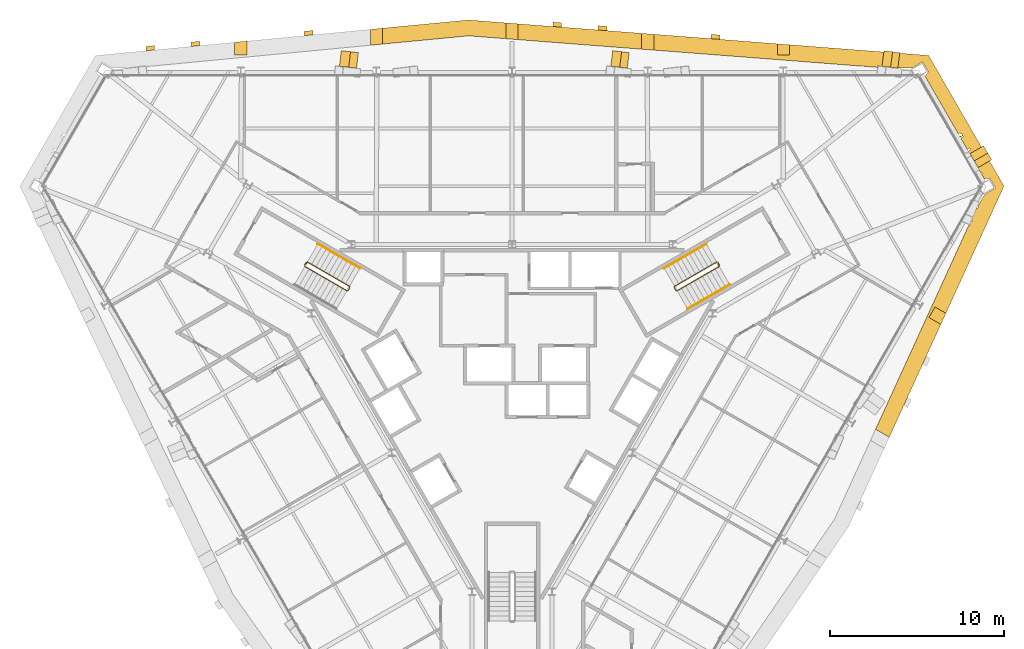
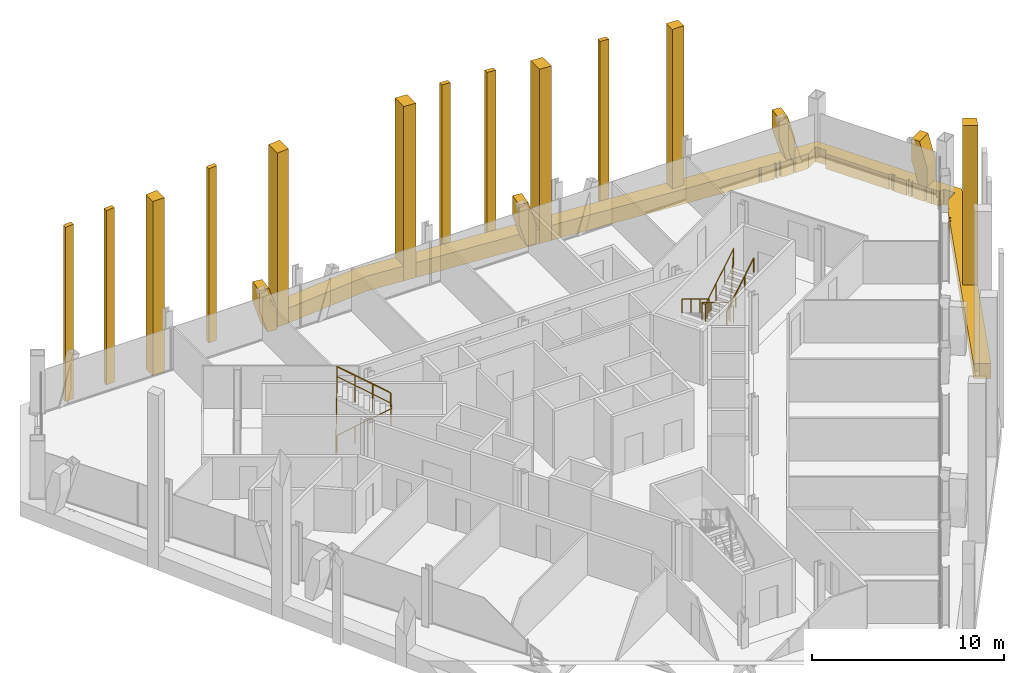
# One storey, part 17 of 17: 19 coverings, 5 railings.
"""IFC4 building model written with IfcOpenShell, lengths in metres."""

from ifc_helpers import new_model, si_unit, direction, frame, origin, origin_2d, place, context, subcontext, project, spatial, polyline, circle, outline, extrude, material, layer, layer_set, type_object, element, save


model = new_model("IFC4")

# Units and contexts
model_context = context("Model", 3, precision=1e-05, world=origin(), true_north=direction((0.0, 1.0)))
body_context = subcontext(model_context, "Body", "Model", "MODEL_VIEW")
ifc_project = project(units=[si_unit("LENGTHUNIT", "METRE"), si_unit("AREAUNIT", "SQUARE_METRE"), si_unit("VOLUMEUNIT", "CUBIC_METRE"), si_unit("PLANEANGLEUNIT", "RADIAN"), si_unit("MASSUNIT", "GRAM", prefix="KILO")], contexts=[model_context])

# Site, building, storey
site_placement = place(None, origin())
site = spatial("IfcSite", under=ifc_project, at=site_placement, CompositionType="ELEMENT")
building_placement = place(site_placement, origin())
building = spatial("IfcBuilding", under=site, at=building_placement, Name="Verrane Prism Tower", CompositionType="ELEMENT")
storey_placement = place(building_placement, frame((0.0, 0.0, 178.39990234375)))
storey = spatial("IfcBuildingStorey", under=building, at=storey_placement, Name="L44", CompositionType="ELEMENT", Elevation=178.39990234375)

# Railings
ifc_material_1 = material(Name="Steel A36 rail and posts, no infill", Category="steel")
railing_type_1 = type_object("IfcRailingType", Name="Stair guard 1100 steel rail and posts", PredefinedType="GUARDRAIL", material=ifc_material_1)
railing_1_placement = place(storey_placement, frame((11.78955078125, 6.97998046875, 0.168212890625)))
element("IfcRailing", 1, at=railing_1_placement, inside=storey, type_object=railing_type_1, Name="Stair 1 guard", PredefinedType="GUARDRAIL", context=body_context, shape_type="SweptSolid", body=[
    extrude(circle(Radius=0.02392578125, at=origin_2d()), frame((0.0, 0.0, 1.076171875), z_axis=(-0.742366697286, -0.42866220388, 0.514917859203), x_axis=(0.500049511043, -0.865996816683, 0.0)), (0.0, 0.0, 1.0), 3.266357421875),
    extrude(circle(Radius=0.02392578125, at=origin_2d()), frame((-2.4248046875, -1.400146484375, 2.7578125), z_axis=(-0.259601060869, -0.965715946433, 0.0), x_axis=(0.965715946433, -0.259601060869, 0.0)), (0.0, 0.0, 1.0), 0.070556640625),
    extrude(circle(Radius=0.02392578125, at=origin_2d()), frame((-2.443115234375, -1.46826171875, 2.7578125), z_axis=(0.499158860599, -0.866510491504, 0.0), x_axis=(0.866510491504, 0.499158860599, 0.0)), (0.0, 0.0, 1.0), 0.199951171875),
    extrude(circle(Radius=0.02392578125, at=origin_2d()), frame((-2.34326171875, -1.6416015625, 2.7578125), z_axis=(0.374585375571, -0.100335368456, 0.921747584887), x_axis=(0.258736085224, 0.965948051503, 0.0)), (0.0, 0.0, 1.0), 0.182373046875),
    extrude(circle(Radius=0.02392578125, at=origin_2d()), frame((-2.27490234375, -1.659912109375, 2.92626953125), z_axis=(0.742366697286, 0.42866220388, 0.514917859203), x_axis=(-0.500049511043, 0.865996816683, 0.0)), (0.0, 0.0, 1.0), 3.266357421875),
    extrude(circle(Radius=0.02392578125, at=origin_2d()), frame((0.14990234375, -0.259765625, 4.60791015625), z_axis=(-0.021985391189, 0.065100454749, -0.997636493602), x_axis=(-0.947430582667, -0.3199613899, 0.0)), (0.0, 0.0, 1.0), 3.708984375),
    extrude(circle(Radius=0.02392578125, at=origin_2d()), frame((0.068359375, -0.018310546875, 0.90771484375), z_axis=(0.499158860599, -0.866510491504, 0.0), x_axis=(0.866510491504, 0.499158860599, 0.0)), (0.0, 0.0, 1.0), 0.199951171875),
    extrude(circle(Radius=0.02099609375, at=origin_2d()), origin(), (0.0, 0.0, 1.0), 1.052001953125),
    extrude(circle(Radius=0.02099609375, at=origin_2d()), frame((-0.808349609375, -0.466796875, 0.560546875)), (0.0, 0.0, 1.0), 1.052001953125),
    extrude(circle(Radius=0.02099609375, at=origin_2d()), frame((-1.616455078125, -0.933349609375, 1.121337890625)), (0.0, 0.0, 1.0), 1.052001953125),
    extrude(circle(Radius=0.02099609375, at=origin_2d()), frame((-2.4248046875, -1.400146484375, 1.681884765625)), (0.0, 0.0, 1.0), 1.052001953125),
    extrude(circle(Radius=0.02099609375, at=origin_2d()), frame((-2.443115234375, -1.46826171875, 1.681884765625)), (0.0, 0.0, 1.0), 1.052001953125),
    extrude(circle(Radius=0.02099609375, at=origin_2d()), frame((-2.34326171875, -1.6416015625, 1.681884765625)), (0.0, 0.0, 1.0), 1.052001953125),
    extrude(circle(Radius=0.02099609375, at=origin_2d()), frame((-2.27490234375, -1.659912109375, 1.85009765625)), (0.0, 0.0, 1.0), 1.052001953125),
    extrude(circle(Radius=0.02099609375, at=origin_2d()), frame((-1.466552734375, -1.193115234375, 2.41064453125)), (0.0, 0.0, 1.0), 1.052001953125),
    extrude(circle(Radius=0.02099609375, at=origin_2d()), frame((-0.658447265625, -0.7265625, 2.971435546875)), (0.0, 0.0, 1.0), 1.052001953125),
    extrude(circle(Radius=0.02099609375, at=origin_2d()), frame((0.14990234375, -0.259765625, 3.531982421875)), (0.0, 0.0, 1.0), 1.052001953125),
    extrude(circle(Radius=0.02099609375, at=origin_2d()), frame((0.12939453125, -0.199462890625, 2.60693359375)), (0.0, 0.0, 1.0), 1.052001953125),
    extrude(circle(Radius=0.02099609375, at=origin_2d()), frame((0.109130859375, -0.13916015625, 1.681884765625)), (0.0, 0.0, 1.0), 1.052001953125),
    extrude(circle(Radius=0.02099609375, at=origin_2d()), frame((0.0888671875, -0.07861328125, 0.7568359375)), (0.0, 0.0, 1.0), 1.052001953125),
    extrude(circle(Radius=0.02099609375, at=origin_2d()), frame((0.068359375, -0.018310546875, -0.168212890625)), (0.0, 0.0, 1.0), 1.052001953125),
    extrude(circle(Radius=0.02099609375, at=origin_2d()), frame((0.168212890625, -0.191650390625, -0.168212890625)), (0.0, 0.0, 1.0), 1.052001953125),
])
railing_2_placement = place(storey_placement, frame((-11.939453125, 6.72021484375, 0.168212890625)))
element("IfcRailing", 2, at=railing_2_placement, inside=storey, type_object=railing_type_1, Name="Stair 2 guard", PredefinedType="GUARDRAIL", context=body_context, shape_type="SweptSolid", body=[
    extrude(circle(Radius=0.02392578125, at=origin_2d()), frame((0.0, 0.0, 1.076171875), z_axis=(0.742366697286, -0.42866220388, 0.514917859203), x_axis=(0.500049511043, 0.865996816683, 0.0)), (0.0, 0.0, 1.0), 3.266357421875),
    extrude(circle(Radius=0.02392578125, at=origin_2d()), frame((2.4248046875, -1.400146484375, 2.7578125), z_axis=(0.965948051503, 0.258736085224, 0.0), x_axis=(-0.258736085224, 0.965948051503, 0.0)), (0.0, 0.0, 1.0), 0.07080078125),
    extrude(circle(Radius=0.02392578125, at=origin_2d()), frame((2.4931640625, -1.3818359375, 2.7578125), z_axis=(0.499158860599, 0.866510491504, 0.0), x_axis=(-0.866510491504, 0.499158860599, 0.0)), (0.0, 0.0, 1.0), 0.199951171875),
    extrude(circle(Radius=0.02392578125, at=origin_2d()), frame((2.593017578125, -1.20849609375, 2.7578125), z_axis=(-0.100385596638, 0.373434419493, 0.922209014446), x_axis=(-0.965715946433, -0.259601060869, 0.0)), (0.0, 0.0, 1.0), 0.182373046875),
    extrude(circle(Radius=0.02392578125, at=origin_2d()), frame((2.57470703125, -1.140380859375, 2.92626953125), z_axis=(-0.742366697286, 0.42866220388, 0.514917859203), x_axis=(-0.500049511043, -0.865996816683, 0.0)), (0.0, 0.0, 1.0), 3.266357421875),
    extrude(circle(Radius=0.02392578125, at=origin_2d()), frame((0.14990234375, 0.259765625, 4.60791015625), z_axis=(-0.045352972709, -0.05167210969, -0.997633750906), x_axis=(0.751567565678, -0.659656118156, 0.0)), (0.0, 0.0, 1.0), 3.708984375),
    extrude(circle(Radius=0.02392578125, at=origin_2d()), frame((-0.018310546875, 0.068115234375, 0.90771484375), z_axis=(0.499158860599, 0.866510491504, 0.0), x_axis=(-0.866510491504, 0.499158860599, 0.0)), (0.0, 0.0, 1.0), 0.199951171875),
    extrude(circle(Radius=0.02099609375, at=origin_2d()), origin(), (0.0, 0.0, 1.0), 1.052001953125),
    extrude(circle(Radius=0.02099609375, at=origin_2d()), frame((0.808349609375, -0.466796875, 0.560546875)), (0.0, 0.0, 1.0), 1.052001953125),
    extrude(circle(Radius=0.02099609375, at=origin_2d()), frame((1.616455078125, -0.933349609375, 1.121337890625)), (0.0, 0.0, 1.0), 1.052001953125),
    extrude(circle(Radius=0.02099609375, at=origin_2d()), frame((2.4248046875, -1.400146484375, 1.681884765625)), (0.0, 0.0, 1.0), 1.052001953125),
    extrude(circle(Radius=0.02099609375, at=origin_2d()), frame((2.4931640625, -1.3818359375, 1.681884765625)), (0.0, 0.0, 1.0), 1.052001953125),
    extrude(circle(Radius=0.02099609375, at=origin_2d()), frame((2.593017578125, -1.20849609375, 1.681884765625)), (0.0, 0.0, 1.0), 1.052001953125),
    extrude(circle(Radius=0.02099609375, at=origin_2d()), frame((2.57470703125, -1.140380859375, 1.85009765625)), (0.0, 0.0, 1.0), 1.052001953125),
    extrude(circle(Radius=0.02099609375, at=origin_2d()), frame((1.766357421875, -0.673583984375, 2.41064453125)), (0.0, 0.0, 1.0), 1.052001953125),
    extrude(circle(Radius=0.02099609375, at=origin_2d()), frame((0.958251953125, -0.20703125, 2.971435546875)), (0.0, 0.0, 1.0), 1.052001953125),
    extrude(circle(Radius=0.02099609375, at=origin_2d()), frame((0.14990234375, 0.259765625, 3.531982421875)), (0.0, 0.0, 1.0), 1.052001953125),
    extrude(circle(Radius=0.02099609375, at=origin_2d()), frame((0.10791015625, 0.2119140625, 2.60693359375)), (0.0, 0.0, 1.0), 1.052001953125),
    extrude(circle(Radius=0.02099609375, at=origin_2d()), frame((0.06591796875, 0.1640625, 1.681884765625)), (0.0, 0.0, 1.0), 1.052001953125),
    extrude(circle(Radius=0.02099609375, at=origin_2d()), frame((0.023681640625, 0.115966796875, 0.7568359375)), (0.0, 0.0, 1.0), 1.052001953125),
    extrude(circle(Radius=0.02099609375, at=origin_2d()), frame((-0.018310546875, 0.068115234375, -0.168212890625)), (0.0, 0.0, 1.0), 1.052001953125),
    extrude(circle(Radius=0.02099609375, at=origin_2d()), frame((0.08154296875, 0.241455078125, -0.168212890625)), (0.0, 0.0, 1.0), 1.052001953125),
])
ifc_material_2 = material(Name="Steel A36 tube", Category="steel")
railing_type_2 = type_object("IfcRailingType", Name="Stair handrail 900 steel tube", PredefinedType="HANDRAIL", material=ifc_material_2)
railing_3_placement = place(storey_placement, frame((11.189453125, 8.01904296875, 0.168212890625)))
element("IfcRailing", 3, at=railing_3_placement, inside=storey, type_object=railing_type_2, Name="Stair 1 handrail", PredefinedType="HANDRAIL", context=body_context, shape_type="SweptSolid", body=[
    extrude(circle(Radius=0.02392578125, at=origin_2d()), frame((0.0, 0.0, 0.8759765625), z_axis=(-0.742390482028, -0.42860119049, 0.514934356695), x_axis=(0.49998411664, -0.866034573852, 0.0)), (0.0, 0.0, 1.0), 3.26611328125),
    extrude(circle(Radius=0.02099609375, at=origin_2d()), origin(), (0.0, 0.0, 1.0), 0.851806640625),
    extrude(circle(Radius=0.02099609375, at=origin_2d()), frame((-0.808349609375, -0.466552734375, 0.560546875)), (0.0, 0.0, 1.0), 0.851806640625),
    extrude(circle(Radius=0.02099609375, at=origin_2d()), frame((-1.616455078125, -0.933349609375, 1.121337890625)), (0.0, 0.0, 1.0), 0.851806640625),
    extrude(circle(Radius=0.02099609375, at=origin_2d()), frame((-2.4248046875, -1.39990234375, 1.681884765625)), (0.0, 0.0, 1.0), 0.851806640625),
])
railing_4_placement = place(storey_placement, frame((10.11474609375, 4.28076171875, 2.018310546875)))
element("IfcRailing", 4, at=railing_4_placement, inside=storey, type_object=railing_type_2, Name="Stair 1 handrail", PredefinedType="HANDRAIL", context=body_context, shape_type="SweptSolid", body=[
    extrude(circle(Radius=0.02392578125, at=origin_2d()), frame((0.0, 0.0, 0.8759765625), z_axis=(0.742366697286, 0.42866220388, 0.514917859203), x_axis=(-0.500049511043, 0.865996816683, 0.0)), (0.0, 0.0, 1.0), 3.266357421875),
    extrude(circle(Radius=0.02099609375, at=origin_2d()), origin(), (0.0, 0.0, 1.0), 0.851806640625),
    extrude(circle(Radius=0.02099609375, at=origin_2d()), frame((0.808349609375, 0.466796875, 0.560546875)), (0.0, 0.0, 1.0), 0.851806640625),
    extrude(circle(Radius=0.02099609375, at=origin_2d()), frame((1.616455078125, 0.933349609375, 1.121337890625)), (0.0, 0.0, 1.0), 0.851806640625),
    extrude(circle(Radius=0.02099609375, at=origin_2d()), frame((2.4248046875, 1.400146484375, 1.681884765625)), (0.0, 0.0, 1.0), 0.851806640625),
])
railing_5_placement = place(storey_placement, frame((-8.7646484375, 6.619140625, 2.018310546875)))
element("IfcRailing", 5, at=railing_5_placement, inside=storey, type_object=railing_type_2, Name="Stair 2 handrail", PredefinedType="HANDRAIL", context=body_context, shape_type="SweptSolid", body=[
    extrude(circle(Radius=0.02392578125, at=origin_2d()), frame((0.0, 0.0, 0.8759765625), z_axis=(-0.742390482028, 0.42860119049, 0.514934356695), x_axis=(-0.49998411664, -0.866034573852, 0.0)), (0.0, 0.0, 1.0), 3.26611328125),
    extrude(circle(Radius=0.02099609375, at=origin_2d()), origin(), (0.0, 0.0, 1.0), 0.851806640625),
    extrude(circle(Radius=0.02099609375, at=origin_2d()), frame((-0.808349609375, 0.466552734375, 0.560546875)), (0.0, 0.0, 1.0), 0.851806640625),
    extrude(circle(Radius=0.02099609375, at=origin_2d()), frame((-1.616455078125, 0.933349609375, 1.121337890625)), (0.0, 0.0, 1.0), 0.851806640625),
    extrude(circle(Radius=0.02099609375, at=origin_2d()), frame((-2.4248046875, 1.39990234375, 1.681884765625)), (0.0, 0.0, 1.0), 0.851806640625),
])

# Coverings
ifc_material_3 = material(Name="Warm limestone cladding", Category="masonry")
ifc_layer_1 = layer(ifc_material_3, 0.89990234375)
ifc_layer_set_1 = layer_set([ifc_layer_1], Name="Stone brace fin 900")
covering_type_1 = type_object("IfcCoveringType", Name="Stone brace fin 900", PredefinedType="CLADDING", material=ifc_layer_set_1)
covering_1_placement = place(storey_placement, frame((22.286865234375, 18.593017578125, 0.0), z_axis=(0.0, 0.0, 1.0), x_axis=(-0.992059552974, 0.125769007922, 0.0)))
element("IfcCovering", 6, at=covering_1_placement, inside=storey, type_object=covering_type_1, Name="Stone brace fin N1 L44", PredefinedType="CLADDING", context=body_context, shape_type="SweptSolid", body=[
    extrude(outline(polyline([(0.918212890625, 2.75), (0.42138671875, 2.75), (0.0, 1.283447265625), (0.0, 0.0), (0.4931640625, 0.0), (0.918212890625, 1.4794921875), (0.918212890625, 2.75)])), frame((0.0, 0.449951171875, 0.0), z_axis=(0.0, -1.0, 0.0), x_axis=(1.0, 0.0, 0.0)), (0.0, 0.0, 1.0), 0.89990234375),
])
covering_2_placement = place(storey_placement, frame((6.693603515625, 18.593505859375, 0.0), z_axis=(0.0, 0.0, 1.0), x_axis=(-0.992693006115, 0.120667293043, 0.0)))
element("IfcCovering", 7, at=covering_2_placement, inside=storey, type_object=covering_type_1, Name="Stone brace fin N3 L44", PredefinedType="CLADDING", context=body_context, shape_type="SweptSolid", body=[
    extrude(outline(polyline([(0.955078125, 2.75), (0.438232421875, 2.75), (0.0, 1.283447265625), (0.0, 0.0), (0.512939453125, 0.0), (0.955078125, 1.4794921875), (0.955078125, 2.75)])), frame((0.0, 0.449951171875, 0.0), z_axis=(0.0, -1.0, 0.0), x_axis=(1.0, 0.0, 0.0)), (0.0, 0.0, 1.0), 0.89990234375),
])
covering_3_placement = place(storey_placement, frame((-8.90576171875, 18.59375, 0.0), z_axis=(0.0, 0.0, 1.0), x_axis=(-0.993212569865, 0.116313331405, 0.0)))
element("IfcCovering", 8, at=covering_3_placement, inside=storey, type_object=covering_type_1, Name="Stone brace fin N5 L44", PredefinedType="CLADDING", context=body_context, shape_type="SweptSolid", body=[
    extrude(outline(polyline([(0.992919921875, 2.75), (0.45556640625, 2.75), (0.0, 1.283447265625), (0.0, 0.0), (0.533203125, 0.0), (0.992919921875, 1.4794921875), (0.992919921875, 2.75)])), frame((0.0, 0.449951171875, 0.0), z_axis=(0.0, -1.0, 0.0), x_axis=(1.0, 0.0, 0.0)), (0.0, 0.0, 1.0), 0.89990234375),
])
covering_4_placement = place(storey_placement, frame((27.244384765625, 12.64501953125, 0.0), z_axis=(0.0, 0.0, 1.0), x_axis=(-0.500154922393, 0.865935940821, 0.0)))
element("IfcCovering", 9, at=covering_4_placement, inside=storey, type_object=covering_type_1, Name="Stone brace fin NE1 L44", PredefinedType="CLADDING", context=body_context, shape_type="SweptSolid", body=[
    extrude(outline(polyline([(0.928466796875, 2.75), (0.44580078125, 2.75), (0.0, 1.257568359375), (0.0, 0.0), (0.5205078125, 0.0), (0.928466796875, 1.36572265625), (0.928466796875, 2.75)])), frame((0.0, 0.449951171875, 0.0), z_axis=(0.0, -1.0, 0.0), x_axis=(1.0, 0.0, 0.0)), (0.0, 0.0, 1.0), 0.89990234375),
])
ifc_material_4 = material(Name="Warm limestone cladding", Category="masonry")
covering_type_2 = type_object("IfcCoveringType", Name="Stone mullion pier 500", PredefinedType="CLADDING", material=ifc_material_4)
covering_5_placement = place(storey_placement, frame((0.0, 0.0, -0.949951171875)))
element("IfcCovering", 10, at=covering_5_placement, inside=storey, type_object=covering_type_2, Name="Stone pier SM-N1.1 L44-L46", PredefinedType="CLADDING", context=body_context, shape_type="SweptSolid", body=[
    extrude(outline(polyline([(11.47607421875, 19.845458984375), (11.97607421875, 19.806884765625), (11.97607421875, 20.0576171875), (11.47607421875, 20.09619140625), (11.47607421875, 19.845458984375)])), origin(), (0.0, 0.0, 1.0), 11.10009765625),
])
covering_6_placement = place(storey_placement, frame((0.0, 0.0, -0.949951171875)))
element("IfcCovering", 11, at=covering_6_placement, inside=storey, type_object=covering_type_2, Name="Stone pier SM-N2.1 L44-L46", PredefinedType="CLADDING", context=body_context, shape_type="SweptSolid", body=[
    extrude(outline(polyline([(4.961669921875, 20.347412109375), (5.461669921875, 20.308837890625), (5.461669921875, 20.5595703125), (4.961669921875, 20.59814453125), (4.961669921875, 20.347412109375)])), origin(), (0.0, 0.0, 1.0), 11.10009765625),
])
covering_7_placement = place(storey_placement, frame((0.0, 0.0, -0.949951171875)))
element("IfcCovering", 12, at=covering_7_placement, inside=storey, type_object=covering_type_2, Name="Stone pier SM-N2.2 L44-L46", PredefinedType="CLADDING", context=body_context, shape_type="SweptSolid", body=[
    extrude(outline(polyline([(2.355712890625, 20.548095703125), (2.855712890625, 20.509765625), (2.855712890625, 20.760498046875), (2.355712890625, 20.798828125), (2.355712890625, 20.548095703125)])), origin(), (0.0, 0.0, 1.0), 11.10009765625),
])
covering_8_placement = place(storey_placement, frame((0.0, 0.0, -0.949951171875)))
element("IfcCovering", 13, at=covering_8_placement, inside=storey, type_object=covering_type_2, Name="Stone pier SM-N4.1 L44-L46", PredefinedType="CLADDING", context=body_context, shape_type="SweptSolid", body=[
    extrude(outline(polyline([(-11.97607421875, 20.01953125), (-11.47607421875, 20.067138671875), (-11.47607421875, 20.318359375), (-11.97607421875, 20.2705078125), (-11.97607421875, 20.01953125)])), origin(), (0.0, 0.0, 1.0), 11.10009765625),
])
covering_9_placement = place(storey_placement, frame((0.0, 0.0, -0.949951171875)))
element("IfcCovering", 14, at=covering_9_placement, inside=storey, type_object=covering_type_2, Name="Stone pier SM-N5.1 L44-L46", PredefinedType="CLADDING", context=body_context, shape_type="SweptSolid", body=[
    extrude(outline(polyline([(-18.490478515625, 19.397705078125), (-17.990478515625, 19.4453125), (-17.990478515625, 19.696533203125), (-18.490478515625, 19.648681640625), (-18.490478515625, 19.397705078125)])), origin(), (0.0, 0.0, 1.0), 11.10009765625),
])
covering_10_placement = place(storey_placement, frame((0.0, 0.0, -0.949951171875)))
element("IfcCovering", 15, at=covering_10_placement, inside=storey, type_object=covering_type_2, Name="Stone pier SM-N5.2 L44-L46", PredefinedType="CLADDING", context=body_context, shape_type="SweptSolid", body=[
    extrude(outline(polyline([(-21.096435546875, 19.148681640625), (-20.596435546875, 19.196533203125), (-20.596435546875, 19.44775390625), (-21.096435546875, 19.39990234375), (-21.096435546875, 19.148681640625)])), origin(), (0.0, 0.0, 1.0), 11.10009765625),
])
ifc_material_5 = material(Name="Warm limestone cladding", Category="masonry")
covering_type_3 = type_object("IfcCoveringType", Name="Stone pier 700", PredefinedType="CLADDING", material=ifc_material_5)
covering_11_placement = place(storey_placement, frame((0.0, 0.0, -0.949951171875)))
element("IfcCovering", 16, at=covering_11_placement, inside=storey, type_object=covering_type_3, Name="Stone pier PC-N1 L44-L46", PredefinedType="CLADDING", context=body_context, shape_type="SweptSolid", body=[
    extrude(outline(polyline([(15.284912109375, 18.912109375), (15.98486328125, 18.912109375), (15.98486328125, 19.497802734375), (15.284912109375, 19.552001953125), (15.284912109375, 18.912109375)])), origin(), (0.0, 0.0, 1.0), 11.10009765625),
])
covering_12_placement = place(storey_placement, frame((0.0, 0.0, -0.949951171875)))
element("IfcCovering", 17, at=covering_12_placement, inside=storey, type_object=covering_type_3, Name="Stone pier PC-N2 L44-L46", PredefinedType="CLADDING", context=body_context, shape_type="SweptSolid", body=[
    extrude(outline(polyline([(7.46728515625, 20.154296875), (7.46728515625, 19.24169921875), (8.16748046875, 19.187744140625), (8.16748046875, 20.100341796875), (7.46728515625, 20.154296875)])), origin(), (0.0, 0.0, 1.0), 11.10009765625),
])
covering_13_placement = place(storey_placement, frame((0.0, 0.0, -0.949951171875)))
element("IfcCovering", 18, at=covering_13_placement, inside=storey, type_object=covering_type_3, Name="Stone pier PC-N3 L44-L46", PredefinedType="CLADDING", context=body_context, shape_type="SweptSolid", body=[
    extrude(outline(polyline([(-0.35009765625, 20.756591796875), (-0.35009765625, 19.84423828125), (0.35009765625, 19.790283203125), (0.35009765625, 20.702880859375), (-0.35009765625, 20.756591796875)])), origin(), (0.0, 0.0, 1.0), 11.10009765625),
])
covering_14_placement = place(storey_placement, frame((0.0, 0.0, -0.949951171875)))
element("IfcCovering", 19, at=covering_14_placement, inside=storey, type_object=covering_type_3, Name="Stone pier PC-N4 L44-L46", PredefinedType="CLADDING", context=body_context, shape_type="SweptSolid", body=[
    extrude(outline(polyline([(-8.16748046875, 20.383056640625), (-8.16748046875, 19.468994140625), (-7.46728515625, 19.535888671875), (-7.46728515625, 20.449951171875), (-8.16748046875, 20.383056640625)])), origin(), (0.0, 0.0, 1.0), 11.10009765625),
])
covering_15_placement = place(storey_placement, frame((0.0, 0.0, -0.949951171875)))
element("IfcCovering", 20, at=covering_15_placement, inside=storey, type_object=covering_type_3, Name="Stone pier PC-N5 L44-L46", PredefinedType="CLADDING", context=body_context, shape_type="SweptSolid", body=[
    extrude(outline(polyline([(-15.98486328125, 18.912109375), (-15.284912109375, 18.912109375), (-15.284912109375, 19.70361328125), (-15.98486328125, 19.63671875), (-15.98486328125, 18.912109375)])), origin(), (0.0, 0.0, 1.0), 11.10009765625),
])
covering_16_placement = place(storey_placement, frame((0.0, 0.0, -0.949951171875)))
element("IfcCovering", 21, at=covering_16_placement, inside=storey, type_object=covering_type_3, Name="Stone pier PC-SE5 L44-L46", PredefinedType="CLADDING", context=body_context, shape_type="SweptSolid", body=[
    extrude(outline(polyline([(24.37109375, 4.386962890625), (24.02099609375, 3.78076171875), (24.706298828125, 3.38525390625), (24.998291015625, 4.02490234375), (24.37109375, 4.386962890625)])), origin(), (0.0, 0.0, 1.0), 11.10009765625),
])
ifc_material_6 = material(Name="Warm limestone cladding", Category="masonry")
ifc_layer_2 = layer(ifc_material_6, 0.449951171875)
ifc_layer_set_2 = layer_set([ifc_layer_2], Name="Stone spandrel band 450")
covering_type_4 = type_object("IfcCoveringType", Name="Stone spandrel band 450", PredefinedType="CLADDING", material=ifc_layer_set_2)
covering_17_placement = place(storey_placement, frame((0.0, 0.0, -0.949951171875)))
element("IfcCovering", 22, at=covering_17_placement, inside=storey, type_object=covering_type_4, Name="Stone spandrel band L44 part 2", PredefinedType="CLADDING", context=body_context, shape_type="SweptSolid", body=[
    extrude(outline(polyline([(8.16748046875, 19.187744140625), (20.128662109375, 18.26611328125), (20.1572265625, 18.3017578125), (20.174560546875, 18.287841796875), (20.174560546875, 18.31005859375), (20.274169921875, 18.31005859375), (20.274169921875, 18.2548828125), (21.044189453125, 18.195556640625), (21.044189453125, 18.31005859375), (21.1396484375, 18.31005859375), (21.1396484375, 18.188232421875), (21.308349609375, 18.17529296875), (21.3251953125, 18.3076171875), (21.419189453125, 18.295654296875), (21.40283203125, 18.16796875), (21.7216796875, 18.143310546875), (22.13818359375, 18.143310546875), (22.145751953125, 18.20361328125), (22.236083984375, 18.192138671875), (22.22998046875, 18.143310546875), (23.02099609375, 18.143310546875), (23.657470703125, 18.5107421875), (23.9873046875, 17.939208984375), (23.968505859375, 17.92822265625), (23.8603515625, 17.739013671875), (23.787109375, 17.69677734375), (25.6982421875, 14.38671875), (25.9267578125, 14.36328125), (25.91357421875, 14.2314453125), (25.77978515625, 14.2451171875), (25.822021484375, 14.172119140625), (25.96533203125, 14.2548828125), (25.99755859375, 14.19921875), (25.854248046875, 14.1162109375), (26.235107421875, 13.45654296875), (26.378662109375, 13.53955078125), (26.429931640625, 13.450927734375), (26.286376953125, 13.367919921875), (26.374755859375, 13.21484375), (26.518310546875, 13.2978515625), (26.550537109375, 13.241943359375), (26.406982421875, 13.158935546875), (26.78759765625, 12.499267578125), (26.931396484375, 12.58251953125), (26.982666015625, 12.493896484375), (26.8388671875, 12.41064453125), (26.98828125, 12.152099609375), (27.079345703125, 12.120849609375), (27.05908203125, 12.0615234375), (27.035888671875, 12.0693359375), (27.21728515625, 11.75537109375), (27.289306640625, 11.797119140625), (27.50830078125, 11.7998046875), (27.52734375, 11.810791015625), (27.857421875, 11.2392578125), (27.22998046875, 10.876953125), (26.829345703125, 10.18310546875), (26.8701171875, 10.165771484375), (26.835205078125, 10.08203125), (26.783447265625, 10.103759765625), (26.740234375, 10.02880859375), (26.47216796875, 9.44189453125), (26.5517578125, 9.408447265625), (26.51513671875, 9.3212890625), (26.43310546875, 9.35595703125), (26.3603515625, 9.197021484375), (26.424560546875, 9.159912109375), (26.376708984375, 9.0771484375), (26.320556640625, 9.109619140625), (20.944580078125, -2.661376953125), (21.736083984375, -3.118408203125), (24.706298828125, 3.38525390625), (24.02099609375, 3.78076171875), (24.37109375, 4.386962890625), (24.998291015625, 4.02490234375), (28.345703125, 11.35400390625), (24.000244140625, 18.88037109375), (15.98486328125, 19.497802734375), (15.98486328125, 18.912109375), (15.284912109375, 18.912109375), (15.284912109375, 19.552001953125), (8.16748046875, 20.100341796875), (8.16748046875, 19.187744140625)])), origin(), (0.0, 0.0, 1.0), 0.949951171875),
])
covering_18_placement = place(storey_placement, frame((0.0, 0.0, -0.949951171875)))
element("IfcCovering", 23, at=covering_18_placement, inside=storey, type_object=covering_type_4, Name="Stone spandrel band L44 part 8", PredefinedType="CLADDING", context=body_context, shape_type="SweptSolid", body=[
    extrude(outline(polyline([(0.35009765625, 19.790283203125), (7.46728515625, 19.24169921875), (7.46728515625, 20.154296875), (0.35009765625, 20.702880859375), (0.35009765625, 19.790283203125)])), origin(), (0.0, 0.0, 1.0), 0.949951171875),
])
covering_19_placement = place(storey_placement, frame((0.0, 0.0, -0.949951171875)))
element("IfcCovering", 24, at=covering_19_placement, inside=storey, type_object=covering_type_4, Name="Stone spandrel band L44 part 9", PredefinedType="CLADDING", context=body_context, shape_type="SweptSolid", body=[
    extrude(outline(polyline([(-7.46728515625, 20.449951171875), (-7.46728515625, 19.535888671875), (-2.501708984375, 20.010009765625), (-0.35009765625, 19.84423828125), (-0.35009765625, 20.756591796875), (-2.510009765625, 20.923095703125), (-7.46728515625, 20.449951171875)])), origin(), (0.0, 0.0, 1.0), 0.949951171875),
])

save(model, "model.ifc")
